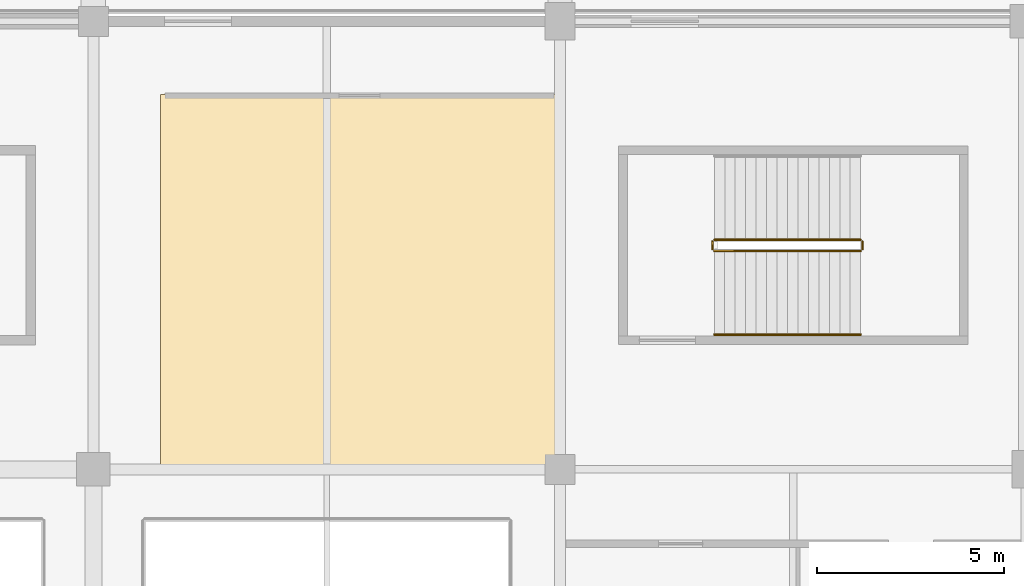
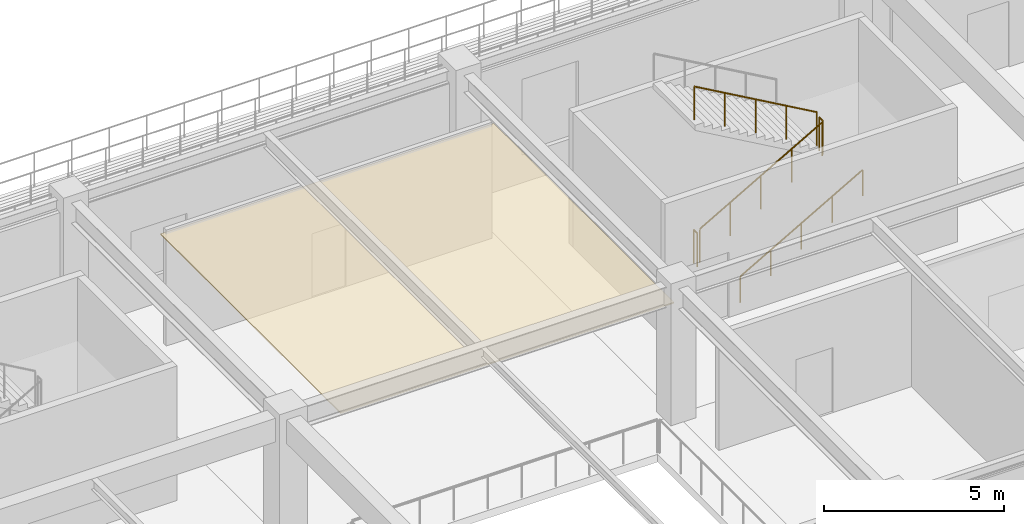
# One storey, part 113 of 134: 5 railings, 1 covering.
"""IFC4 building model written with IfcOpenShell, lengths in metres."""

from ifc_helpers import new_model, si_unit, direction, frame, origin, origin_2d, place, context, subcontext, project, spatial, polyline, circle, outline, extrude, material, layer, layer_set, type_object, element, save


model = new_model("IFC4")

# Units and contexts
model_context = context("Model", 3, precision=1e-05, world=origin(), true_north=direction((0.0, 1.0)))
body_context = subcontext(model_context, "Body", "Model", "MODEL_VIEW")
ifc_project = project(units=[si_unit("LENGTHUNIT", "METRE"), si_unit("AREAUNIT", "SQUARE_METRE"), si_unit("VOLUMEUNIT", "CUBIC_METRE"), si_unit("PLANEANGLEUNIT", "RADIAN"), si_unit("MASSUNIT", "GRAM", prefix="KILO")], contexts=[model_context])

# Site, building, storey
site_placement = place(None, origin())
site = spatial("IfcSite", under=ifc_project, at=site_placement, CompositionType="ELEMENT")
building_placement = place(site_placement, origin())
building = spatial("IfcBuilding", under=site, at=building_placement, Name="Kazenohara Klinker Stadium", CompositionType="ELEMENT")
storey_placement = place(building_placement, frame((0.0, 0.0, 5.39990234375)))
storey = spatial("IfcBuildingStorey", under=building, at=storey_placement, Name="L01", CompositionType="ELEMENT", Elevation=5.39990234375)

# Covering
ifc_material_1 = material(Name="Slatted Hokkaido cedar acoustic baffle ceiling", Category="wood")
ifc_layer_1 = layer(ifc_material_1, 0.0400390625)
ifc_layer_set_1 = layer_set([ifc_layer_1], Name="Slatted Hokkaido cedar acoustic baffle ceiling")
covering_type = type_object("IfcCoveringType", Name="COV-CEIL-02", PredefinedType="CEILING", material=ifc_layer_set_1)
covering_placement = place(storey_placement, frame((0.0, 0.0, 3.739990234375)))
element("IfcCovering", 1, at=covering_placement, inside=storey, type_object=covering_type, Name="Suspended acoustic ceiling CL02 Youth Sports Coaching Classroom L01-1102A", PredefinedType="CEILING", context=body_context, shape_type="SweptSolid", body=[
    extrude(outline(polyline([(139.300048828125, 24.06005859375), (149.9599609375, 24.06005859375), (149.9599609375, 34.0400390625), (139.300048828125, 34.0400390625), (139.300048828125, 24.06005859375)])), origin(), (0.0, 0.0, 1.0), 0.0400390625),
])

# Railings
ifc_material_2 = material(Name="Brushed stainless steel 304 handrail", Category="steel")
ifc_layer_2 = layer(ifc_material_2, 0.050048828125)
ifc_layer_set_2 = layer_set([ifc_layer_2], Name="Brushed stainless steel 304 handrail")
railing_type_1 = type_object("IfcRailingType", Name="RL-HND-900", PredefinedType="HANDRAIL", material=ifc_layer_set_2)
railing_1_placement = place(storey_placement, frame((154.1298828125, 27.610107421875, 0.16015625)))
element("IfcRailing", 2, at=railing_1_placement, inside=storey, type_object=railing_type_1, Name="L01 ST28 stair handrail 1", PredefinedType="HANDRAIL", context=body_context, shape_type="SweptSolid", body=[
    extrude(circle(Radius=0.02392578125, at=origin_2d()), frame((0.0, 0.0, 0.8759765625), z_axis=(0.86825312469, 0.0, 0.496121468458), x_axis=(0.0, 1.0, 0.0)), (0.0, 0.0, 1.0), 4.514892578125),
    extrude(circle(Radius=0.02099609375, at=origin_2d()), origin(), (0.0, 0.0, 1.0), 0.851806640625),
    extrude(circle(Radius=0.02099609375, at=origin_2d()), frame((0.97998046875, 0.0, 0.56005859375)), (0.0, 0.0, 1.0), 0.851806640625),
    extrude(circle(Radius=0.02099609375, at=origin_2d()), frame((1.9599609375, 0.0, 1.1201171875)), (0.0, 0.0, 1.0), 0.851806640625),
    extrude(circle(Radius=0.02099609375, at=origin_2d()), frame((2.940185546875, 0.0, 1.679931640625)), (0.0, 0.0, 1.0), 0.851806640625),
    extrude(circle(Radius=0.02099609375, at=origin_2d()), frame((3.920166015625, 0.0, 2.239990234375)), (0.0, 0.0, 1.0), 0.851806640625),
])
ifc_material_3 = material(Name="Painted steel stairwell guardrail", Category="steel")
ifc_layer_3 = layer(ifc_material_3, 0.06005859375)
ifc_layer_set_3 = layer_set([ifc_layer_3], Name="Painted steel stairwell guardrail")
railing_type_2 = type_object("IfcRailingType", Name="RL-STG-1120", PredefinedType="GUARDRAIL", material=ifc_layer_set_3)
railing_2_placement = place(storey_placement, frame((154.1298828125, 29.85009765625, 0.16015625)))
element("IfcRailing", 3, at=railing_2_placement, inside=storey, type_object=railing_type_2, Name="L01 ST28 stair guard 1", PredefinedType="GUARDRAIL", context=body_context, shape_type="SweptSolid", body=[
    extrude(circle(Radius=0.02392578125, at=origin_2d()), frame((0.0, 0.0, 1.1259765625), z_axis=(0.86825312469, 0.0, 0.496121468458), x_axis=(0.0, 1.0, 0.0)), (0.0, 0.0, 1.0), 4.514892578125),
    extrude(circle(Radius=0.02099609375, at=origin_2d()), origin(), (0.0, 0.0, 1.0), 1.101806640625),
    extrude(circle(Radius=0.02099609375, at=origin_2d()), frame((0.97998046875, 0.0, 0.56005859375)), (0.0, 0.0, 1.0), 1.101806640625),
    extrude(circle(Radius=0.02099609375, at=origin_2d()), frame((1.9599609375, 0.0, 1.1201171875)), (0.0, 0.0, 1.0), 1.101806640625),
    extrude(circle(Radius=0.02099609375, at=origin_2d()), frame((2.940185546875, 0.0, 1.679931640625)), (0.0, 0.0, 1.0), 1.101806640625),
    extrude(circle(Radius=0.02099609375, at=origin_2d()), frame((3.920166015625, 0.0, 2.239990234375)), (0.0, 0.0, 1.0), 1.101806640625),
])
railing_3_placement = place(storey_placement, frame((158.10009765625, 29.89990234375, 2.400146484375)))
element("IfcRailing", 4, at=railing_3_placement, inside=storey, type_object=railing_type_2, Name="L01 ST28 stair guard 2", PredefinedType="GUARDRAIL", context=body_context, shape_type="SweptSolid", body=[
    extrude(circle(Radius=0.02392578125, at=origin_2d()), frame((0.0, 0.0, 1.1259765625), z_axis=(0.0, 1.0, 0.0), x_axis=(-1.0, 0.0, 0.0)), (0.0, 0.0, 1.0), 0.2001953125),
    extrude(circle(Radius=0.02099609375, at=origin_2d()), origin(), (0.0, 0.0, 1.0), 1.101806640625),
    extrude(circle(Radius=0.02099609375, at=origin_2d()), frame((0.0, 0.2001953125, 0.0)), (0.0, 0.0, 1.0), 1.101806640625),
])
railing_4_placement = place(storey_placement, frame((158.050048828125, 30.14990234375, 2.56005859375)))
element("IfcRailing", 5, at=railing_4_placement, inside=storey, type_object=railing_type_2, Name="L01 ST28 stair guard 3", PredefinedType="GUARDRAIL", context=body_context, shape_type="SweptSolid", body=[
    extrude(circle(Radius=0.02392578125, at=origin_2d()), frame((0.0, 0.0, 1.1259765625), z_axis=(-0.86825312469, 0.0, 0.496121468458), x_axis=(0.0, -1.0, 0.0)), (0.0, 0.0, 1.0), 4.514892578125),
    extrude(circle(Radius=0.02099609375, at=origin_2d()), origin(), (0.0, 0.0, 1.0), 1.101806640625),
    extrude(circle(Radius=0.02099609375, at=origin_2d()), frame((-0.97998046875, 0.0, 0.56005859375)), (0.0, 0.0, 1.0), 1.101806640625),
    extrude(circle(Radius=0.02099609375, at=origin_2d()), frame((-1.9599609375, 0.0, 1.1201171875)), (0.0, 0.0, 1.0), 1.101806640625),
    extrude(circle(Radius=0.02099609375, at=origin_2d()), frame((-2.940185546875, 0.0, 1.679931640625)), (0.0, 0.0, 1.0), 1.101806640625),
    extrude(circle(Radius=0.02099609375, at=origin_2d()), frame((-3.920166015625, 0.0, 2.239990234375)), (0.0, 0.0, 1.0), 1.101806640625),
])
railing_5_placement = place(storey_placement, frame((154.080078125, 29.89990234375, 0.0)))
element("IfcRailing", 6, at=railing_5_placement, inside=storey, type_object=railing_type_2, Name="L01 ST28 stair guard 4", PredefinedType="GUARDRAIL", context=body_context, shape_type="SweptSolid", body=[
    extrude(circle(Radius=0.02392578125, at=origin_2d()), frame((0.0, 0.0, 1.1259765625), z_axis=(0.0, 1.0, 0.0), x_axis=(-1.0, 0.0, 0.0)), (0.0, 0.0, 1.0), 0.2001953125),
    extrude(circle(Radius=0.02099609375, at=origin_2d()), origin(), (0.0, 0.0, 1.0), 1.101806640625),
    extrude(circle(Radius=0.02099609375, at=origin_2d()), frame((0.0, 0.2001953125, 0.0)), (0.0, 0.0, 1.0), 1.101806640625),
])

save(model, "model.ifc")
